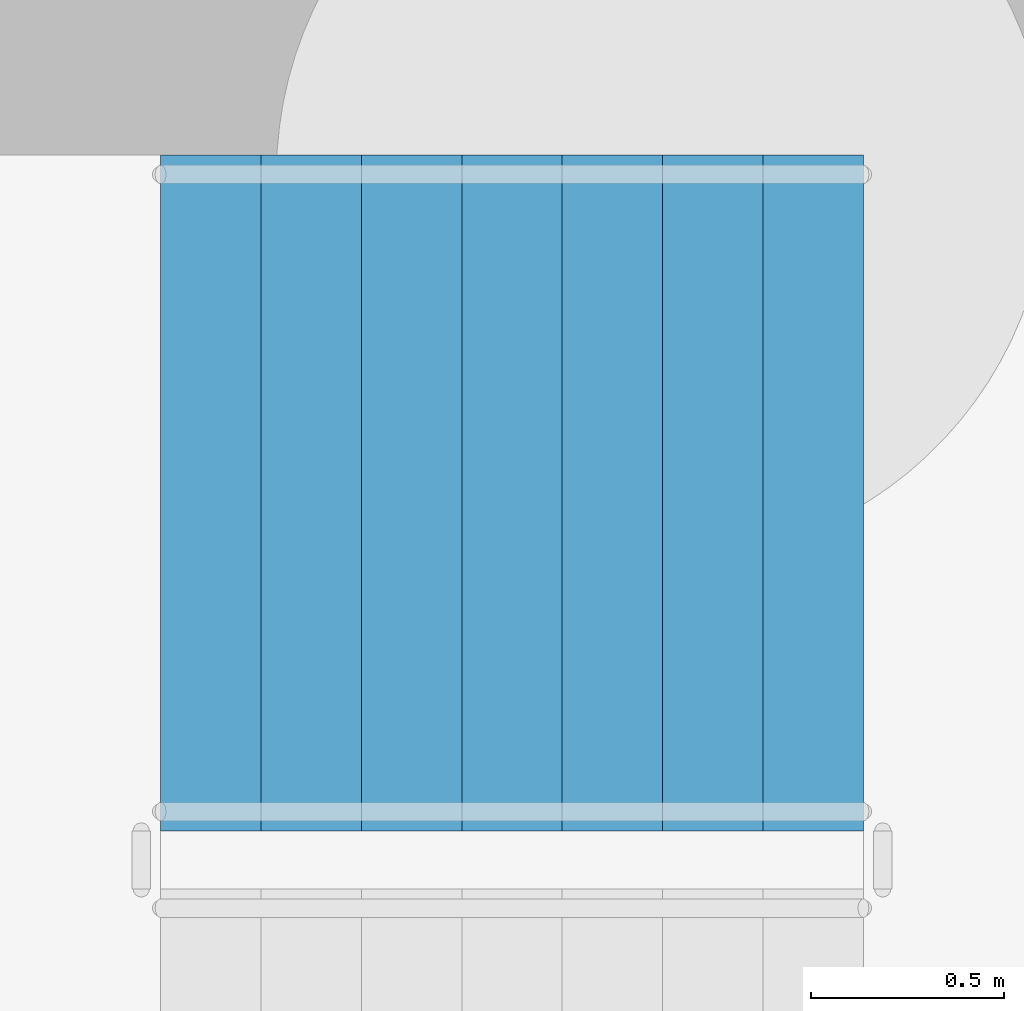
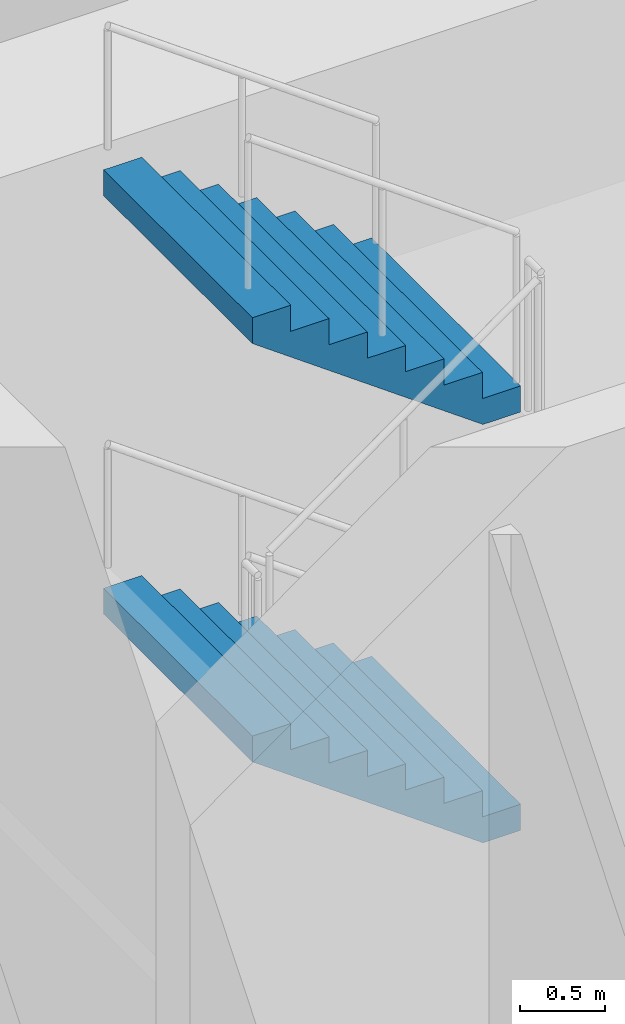
# One storey, part 47 of 75: 2 stair flights, 1 element without a shape of its own.
"""IFC4 building model written with IfcOpenShell, lengths in metres."""

from ifc_helpers import new_model, si_unit, direction, frame, origin, place, context, subcontext, project, spatial, faceted_brep, material, type_object, element, aggregate, save


model = new_model("IFC4")

# Units and contexts
model_context = context("Model", 3, precision=1e-05, world=origin(), true_north=direction((0.0, 1.0)))
body_context = subcontext(model_context, "Body", "Model", "MODEL_VIEW")
ifc_project = project(units=[si_unit("LENGTHUNIT", "METRE"), si_unit("AREAUNIT", "SQUARE_METRE"), si_unit("VOLUMEUNIT", "CUBIC_METRE"), si_unit("PLANEANGLEUNIT", "RADIAN"), si_unit("MASSUNIT", "GRAM", prefix="KILO")], contexts=[model_context])

# Site, building, storey
site_placement = place(None, origin())
site = spatial("IfcSite", under=ifc_project, at=site_placement, CompositionType="ELEMENT")
building_placement = place(site_placement, origin())
building = spatial("IfcBuilding", under=site, at=building_placement, Name="Ipe Terrace Towers", CompositionType="ELEMENT")
storey_placement = place(building_placement, origin())
storey = spatial("IfcBuildingStorey", under=building, at=storey_placement, Name="L00", CompositionType="ELEMENT", Elevation=0.0)

# Stair, stair flights
ifc_material_1 = material(Name="Concrete C30/37", Category="concrete")
stair_type = type_object("IfcStairType", Name="Protected exit stair", PredefinedType="HALF_TURN_STAIR", material=ifc_material_1)
stair_placement = place(storey_placement, origin())
stair = element("IfcStair", 1, at=stair_placement, inside=storey, type_object=stair_type, Name="L00 Exit stair T1-C1", PredefinedType="HALF_TURN_STAIR")
ifc_material_2 = material(Name="Concrete C30/37", Category="concrete")
stair_flight_type = type_object("IfcStairFlightType", Name="Exit stair flight 1750", PredefinedType="STRAIGHT", material=ifc_material_2)
stair_flight_1_placement = place(storey_placement, frame((-24.47998046875, 4.675048828125, 1.5), z_axis=(0.0, 0.0, 1.0), x_axis=(-1.0, 0.0, 0.0)))
stair_flight_1 = element("IfcStairFlight", 2, at=stair_flight_1_placement, type_object=stair_flight_type, Name="T1-ST1 flight 2", NumberOfRisers=8, NumberOfTreads=7, PredefinedType="STRAIGHT", RiserHeight=0.1875, TreadLength=0.26, context=body_context, shape_type="Brep", body=[
    faceted_brep([(0.25634765625, -0.875, 0.0), (1.820068359375, -0.875, 1.127685546875), (1.820068359375, -0.875, 1.3125), (1.56005859375, -0.875, 1.3125), (1.56005859375, -0.875, 1.125), (1.300048828125, -0.875, 1.125), (1.300048828125, -0.875, 0.9375), (1.0400390625, -0.875, 0.9375), (1.0400390625, -0.875, 0.75), (0.780029296875, -0.875, 0.75), (0.780029296875, -0.875, 0.5625), (0.52001953125, -0.875, 0.5625), (0.52001953125, -0.875, 0.375), (0.260009765625, -0.875, 0.375), (0.260009765625, -0.875, 0.1875), (0.0, -0.875, 0.1875), (0.0, -0.875, 0.0), (0.0, 0.875, 0.0), (0.0, 0.875, 0.1875), (0.260009765625, 0.875, 0.1875), (0.260009765625, 0.875, 0.375), (0.52001953125, 0.875, 0.375), (0.52001953125, 0.875, 0.5625), (0.780029296875, 0.875, 0.5625), (0.780029296875, 0.875, 0.75), (1.0400390625, 0.875, 0.75), (1.0400390625, 0.875, 0.9375), (1.300048828125, 0.875, 0.9375), (1.300048828125, 0.875, 1.125), (1.56005859375, 0.875, 1.125), (1.56005859375, 0.875, 1.3125), (1.820068359375, 0.875, 1.3125), (1.820068359375, 0.875, 1.127685546875), (0.25634765625, 0.875, 0.0), (0.0, -0.300048828125, 0.1875), (0.0, -0.1201171875, 0.1875), (0.0, -0.06005859375, 0.1875), (0.0, -0.030029296875, 0.1875), (0.0, -0.010009765625, 0.1875), (0.0, 0.0, 0.1875), (0.0, 0.010009765625, 0.1875), (0.0, 0.030029296875, 0.1875), (0.0, 0.06005859375, 0.1875), (0.0, 0.1201171875, 0.1875), (0.0, 0.300048828125, 0.1875), (0.0, 0.300048828125, 0.0), (0.0, 0.1201171875, 0.0), (0.0, 0.06005859375, 0.0), (0.0, 0.030029296875, 0.0), (0.0, 0.010009765625, 0.0), (0.0, 0.0, 0.0), (0.0, -0.010009765625, 0.0), (0.0, -0.030029296875, 0.0), (0.0, -0.06005859375, 0.0), (0.0, -0.1201171875, 0.0), (0.0, -0.300048828125, 0.0), (0.260009765625, -0.300048828125, 0.1875), (0.260009765625, -0.1201171875, 0.1875), (0.260009765625, -0.06005859375, 0.1875), (0.260009765625, -0.030029296875, 0.1875), (0.260009765625, -0.010009765625, 0.1875), (0.260009765625, 0.0, 0.1875), (0.260009765625, 0.010009765625, 0.1875), (0.260009765625, 0.030029296875, 0.1875), (0.260009765625, 0.06005859375, 0.1875), (0.260009765625, 0.1201171875, 0.1875), (0.260009765625, 0.300048828125, 0.1875), (0.260009765625, -0.300048828125, 0.375), (0.260009765625, -0.1201171875, 0.375), (0.260009765625, -0.06005859375, 0.375), (0.260009765625, -0.030029296875, 0.375), (0.260009765625, -0.010009765625, 0.375), (0.260009765625, 0.0, 0.375), (0.260009765625, 0.010009765625, 0.375), (0.260009765625, 0.030029296875, 0.375), (0.260009765625, 0.06005859375, 0.375), (0.260009765625, 0.1201171875, 0.375), (0.260009765625, 0.300048828125, 0.375), (0.52001953125, -0.300048828125, 0.375), (0.52001953125, -0.1201171875, 0.375), (0.52001953125, -0.06005859375, 0.375), (0.52001953125, -0.030029296875, 0.375), (0.52001953125, -0.010009765625, 0.375), (0.52001953125, 0.0, 0.375), (0.52001953125, 0.010009765625, 0.375), (0.52001953125, 0.030029296875, 0.375), (0.52001953125, 0.06005859375, 0.375), (0.52001953125, 0.1201171875, 0.375), (0.52001953125, 0.300048828125, 0.375), (0.52001953125, -0.300048828125, 0.5625), (0.52001953125, -0.1201171875, 0.5625), (0.52001953125, -0.06005859375, 0.5625), (0.52001953125, -0.030029296875, 0.5625), (0.52001953125, -0.010009765625, 0.5625), (0.52001953125, 0.0, 0.5625), (0.52001953125, 0.010009765625, 0.5625), (0.52001953125, 0.030029296875, 0.5625), (0.52001953125, 0.06005859375, 0.5625), (0.52001953125, 0.1201171875, 0.5625), (0.52001953125, 0.300048828125, 0.5625), (0.780029296875, -0.300048828125, 0.5625), (0.780029296875, -0.1201171875, 0.5625), (0.780029296875, -0.06005859375, 0.5625), (0.780029296875, -0.030029296875, 0.5625), (0.780029296875, -0.010009765625, 0.5625), (0.780029296875, 0.0, 0.5625), (0.780029296875, 0.010009765625, 0.5625), (0.780029296875, 0.030029296875, 0.5625), (0.780029296875, 0.06005859375, 0.5625), (0.780029296875, 0.1201171875, 0.5625), (0.780029296875, 0.300048828125, 0.5625), (0.780029296875, -0.300048828125, 0.75), (0.780029296875, -0.1201171875, 0.75), (0.780029296875, -0.06005859375, 0.75), (0.780029296875, -0.030029296875, 0.75), (0.780029296875, -0.010009765625, 0.75), (0.780029296875, 0.0, 0.75), (0.780029296875, 0.010009765625, 0.75), (0.780029296875, 0.030029296875, 0.75), (0.780029296875, 0.06005859375, 0.75), (0.780029296875, 0.1201171875, 0.75), (0.780029296875, 0.300048828125, 0.75), (1.0400390625, -0.300048828125, 0.75), (1.0400390625, -0.1201171875, 0.75), (1.0400390625, -0.06005859375, 0.75), (1.0400390625, -0.030029296875, 0.75), (1.0400390625, -0.010009765625, 0.75), (1.0400390625, 0.0, 0.75), (1.0400390625, 0.010009765625, 0.75), (1.0400390625, 0.030029296875, 0.75), (1.0400390625, 0.06005859375, 0.75), (1.0400390625, 0.1201171875, 0.75), (1.0400390625, 0.300048828125, 0.75), (1.0400390625, -0.300048828125, 0.9375), (1.0400390625, -0.1201171875, 0.9375), (1.0400390625, -0.06005859375, 0.9375), (1.0400390625, -0.030029296875, 0.9375), (1.0400390625, -0.010009765625, 0.9375), (1.0400390625, 0.0, 0.9375), (1.0400390625, 0.010009765625, 0.9375), (1.0400390625, 0.030029296875, 0.9375), (1.0400390625, 0.06005859375, 0.9375), (1.0400390625, 0.1201171875, 0.9375), (1.0400390625, 0.300048828125, 0.9375), (1.300048828125, -0.300048828125, 0.9375), (1.300048828125, -0.1201171875, 0.9375), (1.300048828125, -0.06005859375, 0.9375), (1.300048828125, -0.030029296875, 0.9375), (1.300048828125, -0.010009765625, 0.9375), (1.300048828125, 0.0, 0.9375), (1.300048828125, 0.010009765625, 0.9375), (1.300048828125, 0.030029296875, 0.9375), (1.300048828125, 0.06005859375, 0.9375), (1.300048828125, 0.1201171875, 0.9375), (1.300048828125, 0.300048828125, 0.9375), (1.300048828125, -0.300048828125, 1.125), (1.300048828125, -0.1201171875, 1.125), (1.300048828125, -0.06005859375, 1.125), (1.300048828125, -0.030029296875, 1.125), (1.300048828125, -0.010009765625, 1.125), (1.300048828125, 0.0, 1.125), (1.300048828125, 0.010009765625, 1.125), (1.300048828125, 0.030029296875, 1.125), (1.300048828125, 0.06005859375, 1.125), (1.300048828125, 0.1201171875, 1.125), (1.300048828125, 0.300048828125, 1.125), (1.56005859375, -0.300048828125, 1.125), (1.56005859375, -0.1201171875, 1.125), (1.56005859375, -0.06005859375, 1.125), (1.56005859375, -0.030029296875, 1.125), (1.56005859375, -0.010009765625, 1.125), (1.56005859375, 0.0, 1.125), (1.56005859375, 0.010009765625, 1.125), (1.56005859375, 0.030029296875, 1.125), (1.56005859375, 0.06005859375, 1.125), (1.56005859375, 0.1201171875, 1.125), (1.56005859375, 0.300048828125, 1.125), (1.56005859375, -0.300048828125, 1.3125), (1.56005859375, -0.1201171875, 1.3125), (1.56005859375, -0.06005859375, 1.3125), (1.56005859375, -0.030029296875, 1.3125), (1.56005859375, -0.010009765625, 1.3125), (1.56005859375, 0.0, 1.3125), (1.56005859375, 0.010009765625, 1.3125), (1.56005859375, 0.030029296875, 1.3125), (1.56005859375, 0.06005859375, 1.3125), (1.56005859375, 0.1201171875, 1.3125), (1.56005859375, 0.300048828125, 1.3125), (1.820068359375, -0.300048828125, 1.3125), (1.820068359375, -0.1201171875, 1.3125), (1.820068359375, -0.06005859375, 1.3125), (1.820068359375, -0.030029296875, 1.3125), (1.820068359375, -0.010009765625, 1.3125), (1.820068359375, 0.0, 1.3125), (1.820068359375, 0.010009765625, 1.3125), (1.820068359375, 0.030029296875, 1.3125), (1.820068359375, 0.06005859375, 1.3125), (1.820068359375, 0.1201171875, 1.3125), (1.820068359375, 0.300048828125, 1.3125), (1.820068359375, -0.300048828125, 1.127685546875), (1.820068359375, -0.1201171875, 1.127685546875), (1.820068359375, -0.06005859375, 1.127685546875), (1.820068359375, -0.030029296875, 1.127685546875), (1.820068359375, -0.010009765625, 1.127685546875), (1.820068359375, 0.0, 1.127685546875), (1.820068359375, 0.010009765625, 1.127685546875), (1.820068359375, 0.030029296875, 1.127685546875), (1.820068359375, 0.06005859375, 1.127685546875), (1.820068359375, 0.1201171875, 1.127685546875), (1.820068359375, 0.300048828125, 1.127685546875), (0.25634765625, -0.300048828125, 0.0), (0.25634765625, -0.1201171875, 0.0), (0.25634765625, -0.06005859375, 0.0), (0.25634765625, -0.030029296875, 0.0), (0.25634765625, -0.010009765625, 0.0), (0.25634765625, 0.0, 0.0), (0.25634765625, 0.010009765625, 0.0), (0.25634765625, 0.030029296875, 0.0), (0.25634765625, 0.06005859375, 0.0), (0.25634765625, 0.1201171875, 0.0), (0.25634765625, 0.300048828125, 0.0)], [[[0, 1, 2, 3, 4, 5, 6, 7, 8, 9, 10, 11, 12, 13, 14, 15, 16]], [[17, 18, 19, 20, 21, 22, 23, 24, 25, 26, 27, 28, 29, 30, 31, 32, 33]], [[15, 34, 35, 36, 37, 38, 39, 40, 41, 42, 43, 44, 18, 17, 45, 46, 47, 48, 49, 50, 51, 52, 53, 54, 55, 16]], [[14, 56, 57, 58, 59, 60, 61, 62, 63, 64, 65, 66, 19, 18, 44, 43, 42, 41, 40, 39, 38, 37, 36, 35, 34, 15]], [[13, 67, 68, 69, 70, 71, 72, 73, 74, 75, 76, 77, 20, 19, 66, 65, 64, 63, 62, 61, 60, 59, 58, 57, 56, 14]], [[12, 78, 79, 80, 81, 82, 83, 84, 85, 86, 87, 88, 21, 20, 77, 76, 75, 74, 73, 72, 71, 70, 69, 68, 67, 13]], [[11, 89, 90, 91, 92, 93, 94, 95, 96, 97, 98, 99, 22, 21, 88, 87, 86, 85, 84, 83, 82, 81, 80, 79, 78, 12]], [[10, 100, 101, 102, 103, 104, 105, 106, 107, 108, 109, 110, 23, 22, 99, 98, 97, 96, 95, 94, 93, 92, 91, 90, 89, 11]], [[9, 111, 112, 113, 114, 115, 116, 117, 118, 119, 120, 121, 24, 23, 110, 109, 108, 107, 106, 105, 104, 103, 102, 101, 100, 10]], [[8, 122, 123, 124, 125, 126, 127, 128, 129, 130, 131, 132, 25, 24, 121, 120, 119, 118, 117, 116, 115, 114, 113, 112, 111, 9]], [[7, 133, 134, 135, 136, 137, 138, 139, 140, 141, 142, 143, 26, 25, 132, 131, 130, 129, 128, 127, 126, 125, 124, 123, 122, 8]], [[6, 144, 145, 146, 147, 148, 149, 150, 151, 152, 153, 154, 27, 26, 143, 142, 141, 140, 139, 138, 137, 136, 135, 134, 133, 7]], [[5, 155, 156, 157, 158, 159, 160, 161, 162, 163, 164, 165, 28, 27, 154, 153, 152, 151, 150, 149, 148, 147, 146, 145, 144, 6]], [[4, 166, 167, 168, 169, 170, 171, 172, 173, 174, 175, 176, 29, 28, 165, 164, 163, 162, 161, 160, 159, 158, 157, 156, 155, 5]], [[3, 177, 178, 179, 180, 181, 182, 183, 184, 185, 186, 187, 30, 29, 176, 175, 174, 173, 172, 171, 170, 169, 168, 167, 166, 4]], [[2, 188, 189, 190, 191, 192, 193, 194, 195, 196, 197, 198, 31, 30, 187, 186, 185, 184, 183, 182, 181, 180, 179, 178, 177, 3]], [[1, 199, 200, 201, 202, 203, 204, 205, 206, 207, 208, 209, 32, 31, 198, 197, 196, 195, 194, 193, 192, 191, 190, 189, 188, 2]], [[0, 210, 211, 212, 213, 214, 215, 216, 217, 218, 219, 220, 33, 32, 209, 208, 207, 206, 205, 204, 203, 202, 201, 200, 199, 1]], [[16, 55, 54, 53, 52, 51, 50, 49, 48, 47, 46, 45, 17, 33, 220, 219, 218, 217, 216, 215, 214, 213, 212, 211, 210, 0]]]),
])
stair_flight_2_placement = place(storey_placement, frame((-24.47998046875, 4.675048828125, 4.5), z_axis=(0.0, 0.0, 1.0), x_axis=(-1.0, 0.0, 0.0)))
stair_flight_2 = element("IfcStairFlight", 3, at=stair_flight_2_placement, type_object=stair_flight_type, Name="T1-ST1 flight 4", NumberOfRisers=8, NumberOfTreads=7, PredefinedType="STRAIGHT", RiserHeight=0.1875, TreadLength=0.26, context=body_context, shape_type="Brep", body=[
    faceted_brep([(0.25634765625, -0.875, 0.0), (1.820068359375, -0.875, 1.127685546875), (1.820068359375, -0.875, 1.3125), (1.56005859375, -0.875, 1.3125), (1.56005859375, -0.875, 1.125), (1.300048828125, -0.875, 1.125), (1.300048828125, -0.875, 0.9375), (1.0400390625, -0.875, 0.9375), (1.0400390625, -0.875, 0.75), (0.780029296875, -0.875, 0.75), (0.780029296875, -0.875, 0.5625), (0.52001953125, -0.875, 0.5625), (0.52001953125, -0.875, 0.375), (0.260009765625, -0.875, 0.375), (0.260009765625, -0.875, 0.1875), (0.0, -0.875, 0.1875), (0.0, -0.875, 0.0), (0.0, 0.875, 0.0), (0.0, 0.875, 0.1875), (0.260009765625, 0.875, 0.1875), (0.260009765625, 0.875, 0.375), (0.52001953125, 0.875, 0.375), (0.52001953125, 0.875, 0.5625), (0.780029296875, 0.875, 0.5625), (0.780029296875, 0.875, 0.75), (1.0400390625, 0.875, 0.75), (1.0400390625, 0.875, 0.9375), (1.300048828125, 0.875, 0.9375), (1.300048828125, 0.875, 1.125), (1.56005859375, 0.875, 1.125), (1.56005859375, 0.875, 1.3125), (1.820068359375, 0.875, 1.3125), (1.820068359375, 0.875, 1.127685546875), (0.25634765625, 0.875, 0.0), (0.0, -0.300048828125, 0.1875), (0.0, -0.1201171875, 0.1875), (0.0, -0.06005859375, 0.1875), (0.0, -0.030029296875, 0.1875), (0.0, -0.010009765625, 0.1875), (0.0, 0.0, 0.1875), (0.0, 0.010009765625, 0.1875), (0.0, 0.030029296875, 0.1875), (0.0, 0.06005859375, 0.1875), (0.0, 0.1201171875, 0.1875), (0.0, 0.300048828125, 0.1875), (0.0, 0.300048828125, 0.0), (0.0, 0.1201171875, 0.0), (0.0, 0.06005859375, 0.0), (0.0, 0.030029296875, 0.0), (0.0, 0.010009765625, 0.0), (0.0, 0.0, 0.0), (0.0, -0.010009765625, 0.0), (0.0, -0.030029296875, 0.0), (0.0, -0.06005859375, 0.0), (0.0, -0.1201171875, 0.0), (0.0, -0.300048828125, 0.0), (0.260009765625, -0.300048828125, 0.1875), (0.260009765625, -0.1201171875, 0.1875), (0.260009765625, -0.06005859375, 0.1875), (0.260009765625, -0.030029296875, 0.1875), (0.260009765625, -0.010009765625, 0.1875), (0.260009765625, 0.0, 0.1875), (0.260009765625, 0.010009765625, 0.1875), (0.260009765625, 0.030029296875, 0.1875), (0.260009765625, 0.06005859375, 0.1875), (0.260009765625, 0.1201171875, 0.1875), (0.260009765625, 0.300048828125, 0.1875), (0.260009765625, -0.300048828125, 0.375), (0.260009765625, -0.1201171875, 0.375), (0.260009765625, -0.06005859375, 0.375), (0.260009765625, -0.030029296875, 0.375), (0.260009765625, -0.010009765625, 0.375), (0.260009765625, 0.0, 0.375), (0.260009765625, 0.010009765625, 0.375), (0.260009765625, 0.030029296875, 0.375), (0.260009765625, 0.06005859375, 0.375), (0.260009765625, 0.1201171875, 0.375), (0.260009765625, 0.300048828125, 0.375), (0.52001953125, -0.300048828125, 0.375), (0.52001953125, -0.1201171875, 0.375), (0.52001953125, -0.06005859375, 0.375), (0.52001953125, -0.030029296875, 0.375), (0.52001953125, -0.010009765625, 0.375), (0.52001953125, 0.0, 0.375), (0.52001953125, 0.010009765625, 0.375), (0.52001953125, 0.030029296875, 0.375), (0.52001953125, 0.06005859375, 0.375), (0.52001953125, 0.1201171875, 0.375), (0.52001953125, 0.300048828125, 0.375), (0.52001953125, -0.300048828125, 0.5625), (0.52001953125, -0.1201171875, 0.5625), (0.52001953125, -0.06005859375, 0.5625), (0.52001953125, -0.030029296875, 0.5625), (0.52001953125, -0.010009765625, 0.5625), (0.52001953125, 0.0, 0.5625), (0.52001953125, 0.010009765625, 0.5625), (0.52001953125, 0.030029296875, 0.5625), (0.52001953125, 0.06005859375, 0.5625), (0.52001953125, 0.1201171875, 0.5625), (0.52001953125, 0.300048828125, 0.5625), (0.780029296875, -0.300048828125, 0.5625), (0.780029296875, -0.1201171875, 0.5625), (0.780029296875, -0.06005859375, 0.5625), (0.780029296875, -0.030029296875, 0.5625), (0.780029296875, -0.010009765625, 0.5625), (0.780029296875, 0.0, 0.5625), (0.780029296875, 0.010009765625, 0.5625), (0.780029296875, 0.030029296875, 0.5625), (0.780029296875, 0.06005859375, 0.5625), (0.780029296875, 0.1201171875, 0.5625), (0.780029296875, 0.300048828125, 0.5625), (0.780029296875, -0.300048828125, 0.75), (0.780029296875, -0.1201171875, 0.75), (0.780029296875, -0.06005859375, 0.75), (0.780029296875, -0.030029296875, 0.75), (0.780029296875, -0.010009765625, 0.75), (0.780029296875, 0.0, 0.75), (0.780029296875, 0.010009765625, 0.75), (0.780029296875, 0.030029296875, 0.75), (0.780029296875, 0.06005859375, 0.75), (0.780029296875, 0.1201171875, 0.75), (0.780029296875, 0.300048828125, 0.75), (1.0400390625, -0.300048828125, 0.75), (1.0400390625, -0.1201171875, 0.75), (1.0400390625, -0.06005859375, 0.75), (1.0400390625, -0.030029296875, 0.75), (1.0400390625, -0.010009765625, 0.75), (1.0400390625, 0.0, 0.75), (1.0400390625, 0.010009765625, 0.75), (1.0400390625, 0.030029296875, 0.75), (1.0400390625, 0.06005859375, 0.75), (1.0400390625, 0.1201171875, 0.75), (1.0400390625, 0.300048828125, 0.75), (1.0400390625, -0.300048828125, 0.9375), (1.0400390625, -0.1201171875, 0.9375), (1.0400390625, -0.06005859375, 0.9375), (1.0400390625, -0.030029296875, 0.9375), (1.0400390625, -0.010009765625, 0.9375), (1.0400390625, 0.0, 0.9375), (1.0400390625, 0.010009765625, 0.9375), (1.0400390625, 0.030029296875, 0.9375), (1.0400390625, 0.06005859375, 0.9375), (1.0400390625, 0.1201171875, 0.9375), (1.0400390625, 0.300048828125, 0.9375), (1.300048828125, -0.300048828125, 0.9375), (1.300048828125, -0.1201171875, 0.9375), (1.300048828125, -0.06005859375, 0.9375), (1.300048828125, -0.030029296875, 0.9375), (1.300048828125, -0.010009765625, 0.9375), (1.300048828125, 0.0, 0.9375), (1.300048828125, 0.010009765625, 0.9375), (1.300048828125, 0.030029296875, 0.9375), (1.300048828125, 0.06005859375, 0.9375), (1.300048828125, 0.1201171875, 0.9375), (1.300048828125, 0.300048828125, 0.9375), (1.300048828125, -0.300048828125, 1.125), (1.300048828125, -0.1201171875, 1.125), (1.300048828125, -0.06005859375, 1.125), (1.300048828125, -0.030029296875, 1.125), (1.300048828125, -0.010009765625, 1.125), (1.300048828125, 0.0, 1.125), (1.300048828125, 0.010009765625, 1.125), (1.300048828125, 0.030029296875, 1.125), (1.300048828125, 0.06005859375, 1.125), (1.300048828125, 0.1201171875, 1.125), (1.300048828125, 0.300048828125, 1.125), (1.56005859375, -0.300048828125, 1.125), (1.56005859375, -0.1201171875, 1.125), (1.56005859375, -0.06005859375, 1.125), (1.56005859375, -0.030029296875, 1.125), (1.56005859375, -0.010009765625, 1.125), (1.56005859375, 0.0, 1.125), (1.56005859375, 0.010009765625, 1.125), (1.56005859375, 0.030029296875, 1.125), (1.56005859375, 0.06005859375, 1.125), (1.56005859375, 0.1201171875, 1.125), (1.56005859375, 0.300048828125, 1.125), (1.56005859375, -0.300048828125, 1.3125), (1.56005859375, -0.1201171875, 1.3125), (1.56005859375, -0.06005859375, 1.3125), (1.56005859375, -0.030029296875, 1.3125), (1.56005859375, -0.010009765625, 1.3125), (1.56005859375, 0.0, 1.3125), (1.56005859375, 0.010009765625, 1.3125), (1.56005859375, 0.030029296875, 1.3125), (1.56005859375, 0.06005859375, 1.3125), (1.56005859375, 0.1201171875, 1.3125), (1.56005859375, 0.300048828125, 1.3125), (1.820068359375, -0.300048828125, 1.3125), (1.820068359375, -0.1201171875, 1.3125), (1.820068359375, -0.06005859375, 1.3125), (1.820068359375, -0.030029296875, 1.3125), (1.820068359375, -0.010009765625, 1.3125), (1.820068359375, 0.0, 1.3125), (1.820068359375, 0.010009765625, 1.3125), (1.820068359375, 0.030029296875, 1.3125), (1.820068359375, 0.06005859375, 1.3125), (1.820068359375, 0.1201171875, 1.3125), (1.820068359375, 0.300048828125, 1.3125), (1.820068359375, -0.300048828125, 1.127685546875), (1.820068359375, -0.1201171875, 1.127685546875), (1.820068359375, -0.06005859375, 1.127685546875), (1.820068359375, -0.030029296875, 1.127685546875), (1.820068359375, -0.010009765625, 1.127685546875), (1.820068359375, 0.0, 1.127685546875), (1.820068359375, 0.010009765625, 1.127685546875), (1.820068359375, 0.030029296875, 1.127685546875), (1.820068359375, 0.06005859375, 1.127685546875), (1.820068359375, 0.1201171875, 1.127685546875), (1.820068359375, 0.300048828125, 1.127685546875), (0.25634765625, -0.300048828125, 0.0), (0.25634765625, -0.1201171875, 0.0), (0.25634765625, -0.06005859375, 0.0), (0.25634765625, -0.030029296875, 0.0), (0.25634765625, -0.010009765625, 0.0), (0.25634765625, 0.0, 0.0), (0.25634765625, 0.010009765625, 0.0), (0.25634765625, 0.030029296875, 0.0), (0.25634765625, 0.06005859375, 0.0), (0.25634765625, 0.1201171875, 0.0), (0.25634765625, 0.300048828125, 0.0)], [[[0, 1, 2, 3, 4, 5, 6, 7, 8, 9, 10, 11, 12, 13, 14, 15, 16]], [[17, 18, 19, 20, 21, 22, 23, 24, 25, 26, 27, 28, 29, 30, 31, 32, 33]], [[15, 34, 35, 36, 37, 38, 39, 40, 41, 42, 43, 44, 18, 17, 45, 46, 47, 48, 49, 50, 51, 52, 53, 54, 55, 16]], [[14, 56, 57, 58, 59, 60, 61, 62, 63, 64, 65, 66, 19, 18, 44, 43, 42, 41, 40, 39, 38, 37, 36, 35, 34, 15]], [[13, 67, 68, 69, 70, 71, 72, 73, 74, 75, 76, 77, 20, 19, 66, 65, 64, 63, 62, 61, 60, 59, 58, 57, 56, 14]], [[12, 78, 79, 80, 81, 82, 83, 84, 85, 86, 87, 88, 21, 20, 77, 76, 75, 74, 73, 72, 71, 70, 69, 68, 67, 13]], [[11, 89, 90, 91, 92, 93, 94, 95, 96, 97, 98, 99, 22, 21, 88, 87, 86, 85, 84, 83, 82, 81, 80, 79, 78, 12]], [[10, 100, 101, 102, 103, 104, 105, 106, 107, 108, 109, 110, 23, 22, 99, 98, 97, 96, 95, 94, 93, 92, 91, 90, 89, 11]], [[9, 111, 112, 113, 114, 115, 116, 117, 118, 119, 120, 121, 24, 23, 110, 109, 108, 107, 106, 105, 104, 103, 102, 101, 100, 10]], [[8, 122, 123, 124, 125, 126, 127, 128, 129, 130, 131, 132, 25, 24, 121, 120, 119, 118, 117, 116, 115, 114, 113, 112, 111, 9]], [[7, 133, 134, 135, 136, 137, 138, 139, 140, 141, 142, 143, 26, 25, 132, 131, 130, 129, 128, 127, 126, 125, 124, 123, 122, 8]], [[6, 144, 145, 146, 147, 148, 149, 150, 151, 152, 153, 154, 27, 26, 143, 142, 141, 140, 139, 138, 137, 136, 135, 134, 133, 7]], [[5, 155, 156, 157, 158, 159, 160, 161, 162, 163, 164, 165, 28, 27, 154, 153, 152, 151, 150, 149, 148, 147, 146, 145, 144, 6]], [[4, 166, 167, 168, 169, 170, 171, 172, 173, 174, 175, 176, 29, 28, 165, 164, 163, 162, 161, 160, 159, 158, 157, 156, 155, 5]], [[3, 177, 178, 179, 180, 181, 182, 183, 184, 185, 186, 187, 30, 29, 176, 175, 174, 173, 172, 171, 170, 169, 168, 167, 166, 4]], [[2, 188, 189, 190, 191, 192, 193, 194, 195, 196, 197, 198, 31, 30, 187, 186, 185, 184, 183, 182, 181, 180, 179, 178, 177, 3]], [[1, 199, 200, 201, 202, 203, 204, 205, 206, 207, 208, 209, 32, 31, 198, 197, 196, 195, 194, 193, 192, 191, 190, 189, 188, 2]], [[0, 210, 211, 212, 213, 214, 215, 216, 217, 218, 219, 220, 33, 32, 209, 208, 207, 206, 205, 204, 203, 202, 201, 200, 199, 1]], [[16, 55, 54, 53, 52, 51, 50, 49, 48, 47, 46, 45, 17, 33, 220, 219, 218, 217, 216, 215, 214, 213, 212, 211, 210, 0]]]),
])
aggregate(stair, [stair_flight_1, stair_flight_2])

save(model, "model.ifc")
